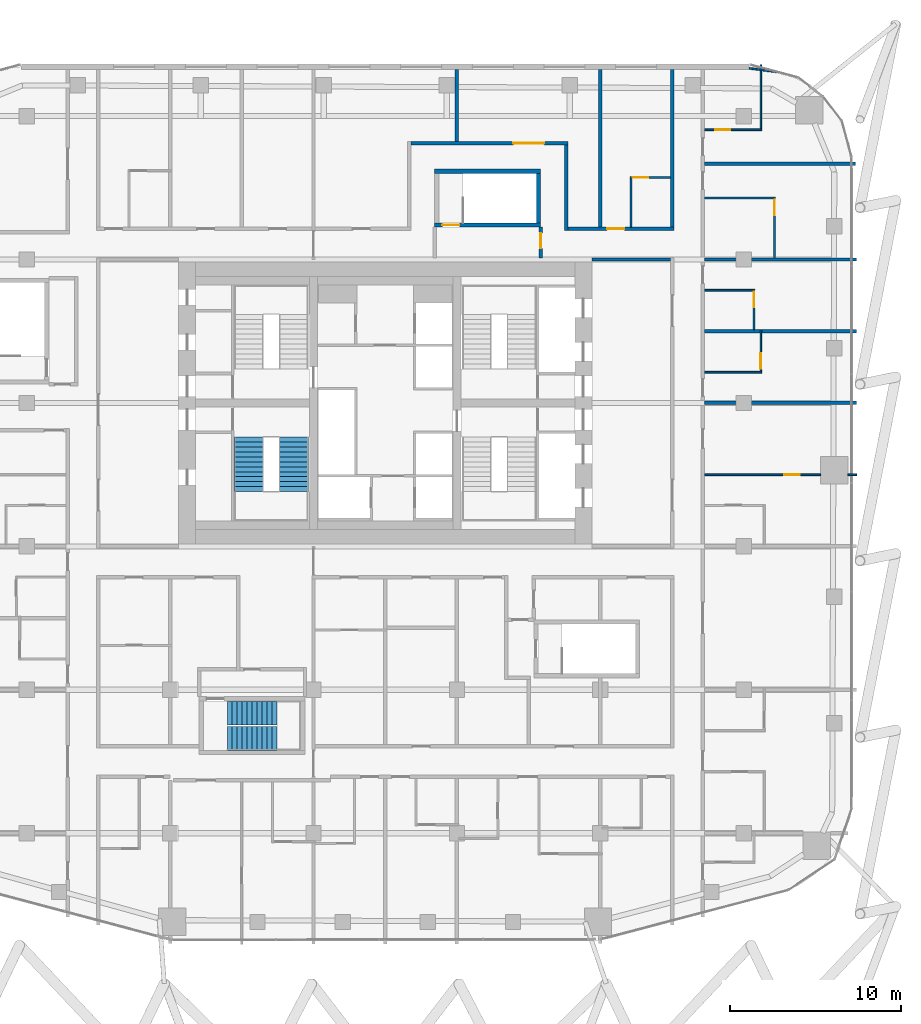
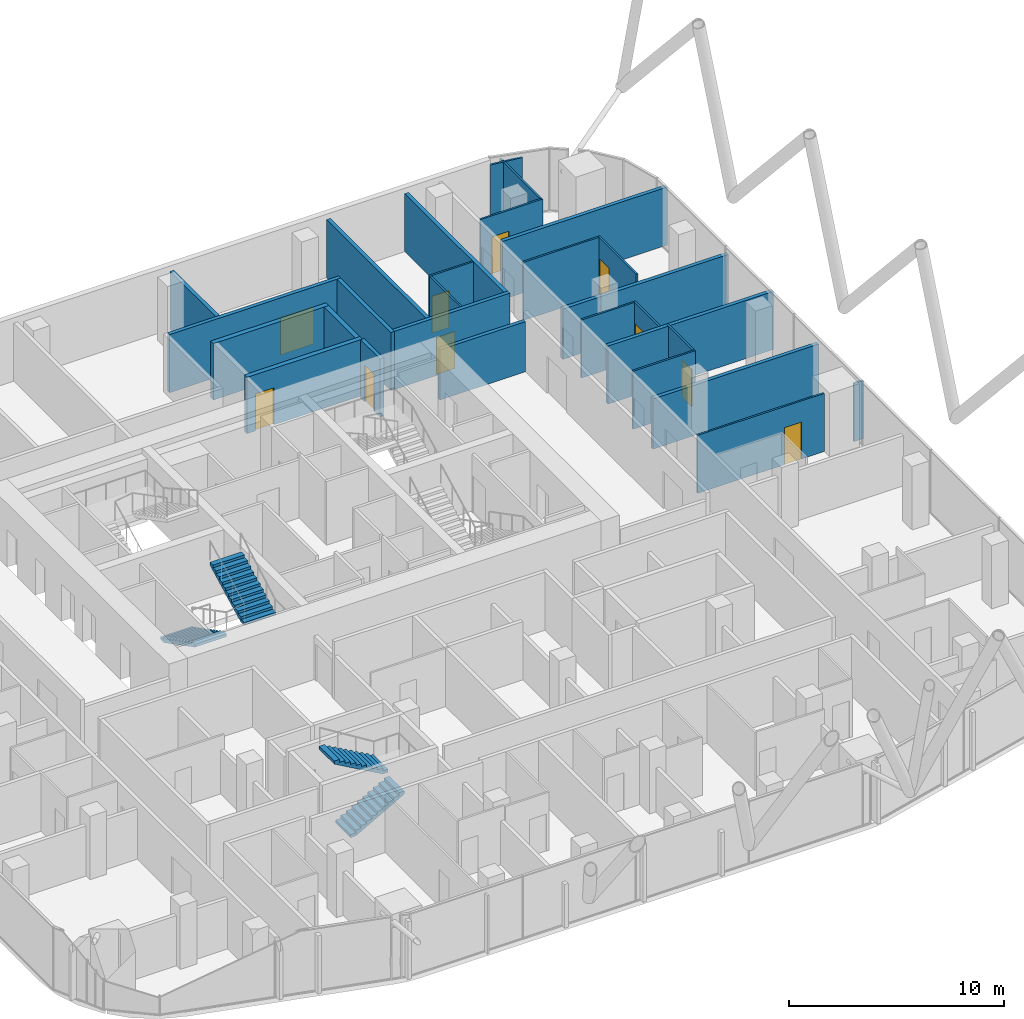
# One storey, part 32 of 34: 28 walls, 10 doors, 4 stair flights, 10 openings, 2 elements without a shape of their own.
"""IFC4 building model written with IfcOpenShell, lengths in metres."""

from ifc_helpers import new_model, si_unit, direction, frame, frame_2d, origin, place, context, subcontext, project, spatial, polyline, rectangle, outline, extrude, material, layer, layer_set, type_object, element, fill, aggregate, save


model = new_model("IFC4")

# Units and contexts
model_context = context("Model", 3, precision=1e-05, world=origin(), true_north=direction((0.0, 1.0)))
body_context = subcontext(model_context, "Body", "Model", "MODEL_VIEW")
ifc_project = project(units=[si_unit("LENGTHUNIT", "METRE"), si_unit("AREAUNIT", "SQUARE_METRE"), si_unit("VOLUMEUNIT", "CUBIC_METRE"), si_unit("PLANEANGLEUNIT", "RADIAN"), si_unit("MASSUNIT", "GRAM", prefix="KILO")], contexts=[model_context])

# Site, building, storey
site_placement = place(None, origin())
site = spatial("IfcSite", under=ifc_project, at=site_placement, CompositionType="ELEMENT")
building_placement = place(site_placement, origin())
building = spatial("IfcBuilding", under=site, at=building_placement, Name="Marenta Gate Hotel Tower", CompositionType="ELEMENT")
storey_placement = place(building_placement, frame((0.0, 0.0, 166.10009765625)))
storey = spatial("IfcBuildingStorey", under=building, at=storey_placement, Name="L39", CompositionType="ELEMENT", Elevation=166.10009765625)

# Wall
ifc_material_1 = material(Name="Concrete blockwork", Category="masonry")
ifc_layer_1 = layer(ifc_material_1, 0.199951171875)
ifc_layer_set_1 = layer_set([ifc_layer_1], Name="Concrete blockwork")
wall_type_1 = type_object("IfcWallType", Name="Core boundary wall 200 REI 180", PredefinedType="PARTITIONING", material=ifc_layer_set_1)
wall_1_placement = place(storey_placement, frame((12.10009765625, 16.800048828125, 0.0), z_axis=(0.0, 0.0, 1.0), x_axis=(1.0, 0.0, 0.0)))
element("IfcWall", 1, at=wall_1_placement, inside=storey, type_object=wall_type_1, Name="L39-CP-EW-EN", PredefinedType="PARTITIONING", context=body_context, shape_type="SweptSolid", body=[
    extrude(rectangle(XDim=4.599853515625, YDim=0.199951171875, at=frame_2d((2.2998046875, 0.0))), origin(), (0.0, 0.0, 1.0), 2.849853515625),
])

# Wall, opening, door
ifc_material_2 = material(Name="Concrete C40", Category="concrete")
ifc_layer_2 = layer(ifc_material_2, 0.25)
ifc_layer_set_2 = layer_set([ifc_layer_2], Name="Concrete C40")
wall_type_2 = type_object("IfcWallType", Name="Remote stair enclosure wall 250 REI 180", PredefinedType="SHEAR", material=ifc_layer_set_2)
wall_2_placement = place(storey_placement, frame((2.89990234375, 18.824951171875, 0.099853515625), z_axis=(0.0, 0.0, 1.0), x_axis=(1.0, 0.0, 0.0)))
wall_2 = element("IfcWall", 2, at=wall_2_placement, inside=storey, type_object=wall_type_2, Name="L39-RS-Z2-4-W1", PredefinedType="SHEAR", context=body_context, shape_type="SweptSolid", body=[
    extrude(rectangle(XDim=6.2001953125, YDim=0.25, at=frame_2d((3.10009765625, 0.0))), origin(), (0.0, 0.0, 1.0), 3.199951171875),
])
opening_1_placement = place(wall_2_placement, frame((0.449951171875, 0.0, 0.0)))
opening_1 = element("IfcOpeningElement", 3, at=opening_1_placement, cuts=wall_2, Name="Opening VD", PredefinedType="OPENING", context=body_context, shape_type="SweptSolid", body=[
    extrude(rectangle(XDim=1.0, YDim=2.10009765625, at=frame_2d((0.5, 1.050048828125))), frame((0.0, 0.125, 0.0), z_axis=(0.0, -1.0, 0.0), x_axis=(1.0, 0.0, 0.0)), (0.0, 0.0, 1.0), 0.25),
])
ifc_material_3 = material(Name="Steel", Category="steel")
door_type_1 = type_object("IfcDoorType", Name="Stair vestibule door 1000x2100 FD60", OperationType="SINGLE_SWING_LEFT", PredefinedType="DOOR", material=ifc_material_3)
door_1_placement = place(opening_1_placement, origin())
door_1 = element("IfcDoor", 4, at=door_1_placement, inside=storey, type_object=door_type_1, Name="VD", OperationType="SINGLE_SWING_LEFT", OverallHeight=2.10009765625, OverallWidth=1.0, PredefinedType="DOOR", context=body_context, shape_type="SweptSolid", body=[
    extrude(rectangle(XDim=1.0, YDim=2.10009765625, at=frame_2d((0.5, 1.050048828125))), frame((0.0, 0.02490234375, 0.0), z_axis=(0.0, -1.0, 0.0), x_axis=(1.0, 0.0, 0.0)), (0.0, 0.0, 1.0), 0.050048828125),
])
fill(opening_1, door_1)

# Walls
wall_3_placement = place(storey_placement, frame((2.89990234375, 21.97509765625, 0.099853515625), z_axis=(0.0, 0.0, 1.0), x_axis=(1.0, 0.0, 0.0)))
element("IfcWall", 5, at=wall_3_placement, inside=storey, type_object=wall_type_2, Name="L39-RS-Z2-4-W2", PredefinedType="SHEAR", context=body_context, shape_type="SweptSolid", body=[
    extrude(rectangle(XDim=6.2001953125, YDim=0.25, at=frame_2d((3.10009765625, 0.0))), origin(), (0.0, 0.0, 1.0), 3.199951171875),
])
wall_4_placement = place(storey_placement, frame((8.97509765625, 18.949951171875, 0.099853515625), z_axis=(0.0, 0.0, 1.0), x_axis=(0.0, 1.0, 0.0)))
element("IfcWall", 6, at=wall_4_placement, inside=storey, type_object=wall_type_2, Name="L39-RS-Z2-4-W4", PredefinedType="SHEAR", context=body_context, shape_type="SweptSolid", body=[
    extrude(rectangle(XDim=2.900146484375, YDim=0.25, at=frame_2d((1.4501953125, 0.0))), origin(), (0.0, 0.0, 1.0), 3.199951171875),
])
ifc_material_4 = material(Name="Gypsum board on steel stud", Category="steel")
ifc_layer_3 = layer(ifc_material_4, 0.199951171875)
ifc_layer_set_3 = layer_set([ifc_layer_3], Name="Gypsum board on steel stud")
wall_type_3 = type_object("IfcWallType", Name="Room corridor wall 200 EI 60", PredefinedType="PARTITIONING", material=ifc_layer_set_3)
wall_5_placement = place(storey_placement, frame((16.800048828125, 18.699951171875, 0.0), z_axis=(0.0, 0.0, 1.0), x_axis=(0.0, 1.0, 0.0)))
element("IfcWall", 7, at=wall_5_placement, inside=storey, type_object=wall_type_3, Name="L39-PTN-W018", PredefinedType="PARTITIONING", context=body_context, shape_type="SweptSolid", body=[
    extrude(rectangle(XDim=9.239990234375, YDim=0.199951171875, at=frame_2d((4.6201171875, 0.0))), origin(), (0.0, 0.0, 1.0), 3.2998046875),
])
wall_6_placement = place(storey_placement, frame((10.60009765625, 18.5, 0.0), z_axis=(0.0, 0.0, 1.0), x_axis=(0.0, 1.0, 0.0)))
element("IfcWall", 8, at=wall_6_placement, inside=storey, type_object=wall_type_3, Name="L39-PTN-W036", PredefinedType="PARTITIONING", context=body_context, shape_type="SweptSolid", body=[
    extrude(rectangle(XDim=5.0, YDim=0.199951171875, at=frame_2d((2.5, 0.0))), origin(), (0.0, 0.0, 1.0), 3.2998046875),
])

# Wall, opening, door
wall_7_placement = place(storey_placement, frame((10.699951171875, 18.60009765625, 0.0), z_axis=(0.0, 0.0, 1.0), x_axis=(1.0, 0.0, 0.0)))
wall_7 = element("IfcWall", 9, at=wall_7_placement, inside=storey, type_object=wall_type_3, Name="L39-PTN-W106", PredefinedType="PARTITIONING", context=body_context, shape_type="SweptSolid", body=[
    extrude(rectangle(XDim=6.199951171875, YDim=0.199951171875, at=frame_2d((3.10009765625, 0.0))), origin(), (0.0, 0.0, 1.0), 3.2998046875),
])
opening_2_placement = place(wall_7_placement, frame((2.300048828125, 0.0, 0.0)))
opening_2 = element("IfcOpeningElement", 10, at=opening_2_placement, cuts=wall_7, Name="Opening G14-28", PredefinedType="OPENING", context=body_context, shape_type="SweptSolid", body=[
    extrude(rectangle(XDim=1.0, YDim=2.10009765625, at=frame_2d((0.5, 1.050048828125))), frame((0.0, 0.10009765625, 0.0), z_axis=(0.0, -1.0, 0.0), x_axis=(1.0, 0.0, 0.0)), (0.0, 0.0, 1.0), 0.199951171875),
])
ifc_material_5 = material(Name="Timber door leaf", Category="wood")
door_type_2 = type_object("IfcDoorType", Name="Guest room door 1000x2100 EI 30", OperationType="NOTDEFINED", PredefinedType="DOOR", material=ifc_material_5)
door_2_placement = place(opening_2_placement, origin())
door_2 = element("IfcDoor", 11, at=door_2_placement, inside=storey, type_object=door_type_2, Name="L39-PD-D028", OperationType="SINGLE_SWING_LEFT", OverallHeight=2.10009765625, OverallWidth=1.0, PredefinedType="DOOR", context=body_context, shape_type="SweptSolid", body=[
    extrude(rectangle(XDim=1.0, YDim=2.10009765625, at=frame_2d((0.5, 1.050048828125))), frame((0.0, 0.02490234375, 0.0), z_axis=(0.0, -1.0, 0.0), x_axis=(1.0, 0.0, 0.0)), (0.0, 0.0, 1.0), 0.050048828125),
])
fill(opening_2, door_2)

wall_8_placement = place(storey_placement, frame((1.5, 23.60009765625, 0.0), z_axis=(0.0, 0.0, 1.0), x_axis=(1.0, 0.0, 0.0)))
wall_8 = element("IfcWall", 12, at=wall_8_placement, inside=storey, type_object=wall_type_3, Name="L39-PTN-W114", PredefinedType="PARTITIONING", context=body_context, shape_type="SweptSolid", body=[
    extrude(rectangle(XDim=9.199951171875, YDim=0.199951171875, at=frame_2d((4.60009765625, 0.0))), origin(), (0.0, 0.0, 1.0), 3.2998046875),
])
opening_3_placement = place(wall_8_placement, frame((6.0, 0.0, 0.0)))
opening_3 = element("IfcOpeningElement", 13, at=opening_3_placement, cuts=wall_8, Name="Opening G14-27", PredefinedType="OPENING", context=body_context, shape_type="SweptSolid", body=[
    extrude(rectangle(XDim=1.800048828125, YDim=2.10009765625, at=frame_2d((0.89990234375, 1.050048828125))), frame((0.0, 0.10009765625, 0.0), z_axis=(0.0, -1.0, 0.0), x_axis=(1.0, 0.0, 0.0)), (0.0, 0.0, 1.0), 0.199951171875),
])
ifc_material_6 = material(Name="Timber door leaf", Category="wood")
door_type_3 = type_object("IfcDoorType", Name="Room amenity door 1800x2100 EI 30", OperationType="DOUBLE_DOOR_SINGLE_SWING", PredefinedType="DOOR", material=ifc_material_6)
door_3_placement = place(opening_3_placement, origin())
door_3 = element("IfcDoor", 14, at=door_3_placement, inside=storey, type_object=door_type_3, Name="L39-PD-D027", OperationType="DOUBLE_DOOR_SINGLE_SWING", OverallHeight=2.10009765625, OverallWidth=1.800048828125, PredefinedType="DOOR", context=body_context, shape_type="SweptSolid", body=[
    extrude(rectangle(XDim=1.800048828125, YDim=2.10009765625, at=frame_2d((0.89990234375, 1.050048828125))), frame((0.0, 0.02490234375, 0.0), z_axis=(0.0, -1.0, 0.0), x_axis=(1.0, 0.0, 0.0)), (0.0, 0.0, 1.0), 0.050048828125),
])
fill(opening_3, door_3)

ifc_material_7 = material(Name="Concrete blockwork", Category="masonry")
ifc_layer_4 = layer(ifc_material_7, 0.199951171875)
ifc_layer_set_4 = layer_set([ifc_layer_4], Name="Concrete blockwork")
wall_type_4 = type_object("IfcWallType", Name="Room corridor wall 200 REI 180", PredefinedType="PARTITIONING", material=ifc_layer_set_4)
wall_9_placement = place(storey_placement, frame((9.10009765625, 16.89990234375, 0.0), z_axis=(0.0, 0.0, 1.0), x_axis=(0.0, 1.0, 0.0)))
wall_9 = element("IfcWall", 15, at=wall_9_placement, inside=storey, type_object=wall_type_4, Name="L39-PTN-W037", PredefinedType="PARTITIONING", context=body_context, shape_type="SweptSolid", body=[
    extrude(rectangle(XDim=1.800048828125, YDim=0.199951171875, at=frame_2d((0.89990234375, 0.0))), origin(), (0.0, 0.0, 1.0), 3.2998046875),
])
opening_4_placement = place(wall_9_placement, frame((0.550048828125, 0.0, 0.0)))
opening_4 = element("IfcOpeningElement", 16, at=opening_4_placement, cuts=wall_9, Name="Opening G14-58", PredefinedType="OPENING", context=body_context, shape_type="SweptSolid", body=[
    extrude(rectangle(XDim=0.89990234375, YDim=2.10009765625, at=frame_2d((0.449951171875, 1.050048828125))), frame((0.0, 0.10009765625, 0.0), z_axis=(0.0, -1.0, 0.0), x_axis=(1.0, 0.0, 0.0)), (0.0, 0.0, 1.0), 0.199951171875),
])
ifc_material_8 = material(Name="Hollow steel door set", Category="steel")
door_type_4 = type_object("IfcDoorType", Name="Stair vestibule door 900x2100 EI 60", OperationType="NOTDEFINED", PredefinedType="DOOR", material=ifc_material_8)
door_4_placement = place(opening_4_placement, origin())
door_4 = element("IfcDoor", 17, at=door_4_placement, inside=storey, type_object=door_type_4, Name="L39-PD-D058", OperationType="SINGLE_SWING_RIGHT", OverallHeight=2.10009765625, OverallWidth=0.89990234375, PredefinedType="DOOR", context=body_context, shape_type="SweptSolid", body=[
    extrude(rectangle(XDim=0.89990234375, YDim=2.10009765625, at=frame_2d((0.449951171875, 1.050048828125))), frame((0.0, 0.02490234375, 0.0), z_axis=(0.0, -1.0, 0.0), x_axis=(1.0, 0.0, 0.0)), (0.0, 0.0, 1.0), 0.050048828125),
])
fill(opening_4, door_4)

ifc_material_9 = material(Name="Gypsum board on steel stud", Category="steel")
ifc_layer_5 = layer(ifc_material_9, 0.10009765625)
ifc_layer_set_5 = layer_set([ifc_layer_5], Name="Gypsum board on steel stud")
wall_type_5 = type_object("IfcWallType", Name="Room partition 100", PredefinedType="PARTITIONING", material=ifc_layer_set_5)
wall_10_placement = place(storey_placement, frame((22.800048828125, 16.89990234375, 0.0), z_axis=(0.0, 0.0, 1.0), x_axis=(0.0, 1.0, 0.0)))
wall_10 = element("IfcWall", 18, at=wall_10_placement, inside=storey, type_object=wall_type_5, Name="L39-PTN-W001", PredefinedType="PARTITIONING", context=body_context, shape_type="SweptSolid", body=[
    extrude(rectangle(XDim=3.550048828125, YDim=0.10009765625, at=frame_2d((1.77490234375, 0.0))), origin(), (0.0, 0.0, 1.0), 3.2998046875),
])
opening_5_placement = place(wall_10_placement, frame((2.5, 0.0, 0.0)))
opening_5 = element("IfcOpeningElement", 19, at=opening_5_placement, cuts=wall_10, Name="Opening G14-22", PredefinedType="OPENING", context=body_context, shape_type="SweptSolid", body=[
    extrude(rectangle(XDim=0.89990234375, YDim=2.10009765625, at=frame_2d((0.449951171875, 1.050048828125))), frame((0.0, 0.050048828125, 0.0), z_axis=(0.0, -1.0, 0.0), x_axis=(1.0, 0.0, 0.0)), (0.0, 0.0, 1.0), 0.10009765625),
])
ifc_material_10 = material(Name="Timber door leaf", Category="wood")
door_type_5 = type_object("IfcDoorType", Name="Guest bathroom door 900x2100", OperationType="NOTDEFINED", PredefinedType="DOOR", material=ifc_material_10)
door_5_placement = place(opening_5_placement, origin())
door_5 = element("IfcDoor", 20, at=door_5_placement, inside=storey, type_object=door_type_5, Name="L39-PD-D022", OperationType="SINGLE_SWING_RIGHT", OverallHeight=2.10009765625, OverallWidth=0.89990234375, PredefinedType="DOOR", context=body_context, shape_type="SweptSolid", body=[
    extrude(rectangle(XDim=0.89990234375, YDim=2.10009765625, at=frame_2d((0.449951171875, 1.050048828125))), frame((0.0, 0.02490234375, 0.0), z_axis=(0.0, -1.0, 0.0), x_axis=(1.0, 0.0, 0.0)), (0.0, 0.0, 1.0), 0.050048828125),
])
fill(opening_5, door_5)

wall_11_placement = place(storey_placement, frame((22.0, 10.25, 0.0), z_axis=(0.0, 0.0, 1.0), x_axis=(0.0, 1.0, 0.0)))
wall_11 = element("IfcWall", 21, at=wall_11_placement, inside=storey, type_object=wall_type_5, Name="L39-PTN-W005", PredefinedType="PARTITIONING", context=body_context, shape_type="SweptSolid", body=[
    extrude(rectangle(XDim=2.449951171875, YDim=0.10009765625, at=frame_2d((1.22509765625, 0.0))), origin(), (0.0, 0.0, 1.0), 3.2998046875),
])
opening_6_placement = place(wall_11_placement, frame((0.14990234375, 0.0, 0.0)))
opening_6 = element("IfcOpeningElement", 22, at=opening_6_placement, cuts=wall_11, Name="Opening G14-18", PredefinedType="OPENING", context=body_context, shape_type="SweptSolid", body=[
    extrude(rectangle(XDim=0.89990234375, YDim=2.10009765625, at=frame_2d((0.449951171875, 1.050048828125))), frame((0.0, 0.050048828125, 0.0), z_axis=(0.0, -1.0, 0.0), x_axis=(1.0, 0.0, 0.0)), (0.0, 0.0, 1.0), 0.10009765625),
])
door_6_placement = place(opening_6_placement, origin())
door_6 = element("IfcDoor", 23, at=door_6_placement, inside=storey, type_object=door_type_5, Name="L39-PD-D018", OperationType="SINGLE_SWING_LEFT", OverallHeight=2.10009765625, OverallWidth=0.89990234375, PredefinedType="DOOR", context=body_context, shape_type="SweptSolid", body=[
    extrude(rectangle(XDim=0.89990234375, YDim=2.10009765625, at=frame_2d((0.449951171875, 1.050048828125))), frame((0.0, 0.02490234375, 0.0), z_axis=(0.0, -1.0, 0.0), x_axis=(1.0, 0.0, 0.0)), (0.0, 0.0, 1.0), 0.050048828125),
])
fill(opening_6, door_6)

# Wall
wall_12_placement = place(storey_placement, frame((22.0, 24.449951171875, 0.0), z_axis=(0.0, 0.0, 1.0), x_axis=(0.0, 1.0, 0.0)))
element("IfcWall", 24, at=wall_12_placement, inside=storey, type_object=wall_type_5, Name="L39-PTN-W006", PredefinedType="PARTITIONING", context=body_context, shape_type="SweptSolid", body=[
    extrude(rectangle(XDim=3.758056640625, YDim=0.10009765625, at=frame_2d((1.87890625, 0.0))), origin(), (0.0, 0.0, 1.0), 3.2998046875),
])

# Wall, opening, door
wall_13_placement = place(storey_placement, frame((21.60009765625, 12.699951171875, 0.0), z_axis=(0.0, 0.0, 1.0), x_axis=(0.0, 1.0, 0.0)))
wall_13 = element("IfcWall", 25, at=wall_13_placement, inside=storey, type_object=wall_type_5, Name="L39-PTN-W008", PredefinedType="PARTITIONING", context=body_context, shape_type="SweptSolid", body=[
    extrude(rectangle(XDim=2.35009765625, YDim=0.10009765625, at=frame_2d((1.175048828125, 0.0))), origin(), (0.0, 0.0, 1.0), 3.2998046875),
])
opening_7_placement = place(wall_13_placement, frame((1.300048828125, 0.0, 0.0)))
opening_7 = element("IfcOpeningElement", 26, at=opening_7_placement, cuts=wall_13, Name="Opening G14-20", PredefinedType="OPENING", context=body_context, shape_type="SweptSolid", body=[
    extrude(rectangle(XDim=0.89990234375, YDim=2.10009765625, at=frame_2d((0.449951171875, 1.050048828125))), frame((0.0, 0.050048828125, 0.0), z_axis=(0.0, -1.0, 0.0), x_axis=(1.0, 0.0, 0.0)), (0.0, 0.0, 1.0), 0.10009765625),
])
door_7_placement = place(opening_7_placement, origin())
door_7 = element("IfcDoor", 27, at=door_7_placement, inside=storey, type_object=door_type_5, Name="L39-PD-D020", OperationType="SINGLE_SWING_RIGHT", OverallHeight=2.10009765625, OverallWidth=0.89990234375, PredefinedType="DOOR", context=body_context, shape_type="SweptSolid", body=[
    extrude(rectangle(XDim=0.89990234375, YDim=2.10009765625, at=frame_2d((0.449951171875, 1.050048828125))), frame((0.0, 0.02490234375, 0.0), z_axis=(0.0, -1.0, 0.0), x_axis=(1.0, 0.0, 0.0)), (0.0, 0.0, 1.0), 0.050048828125),
])
fill(opening_7, door_7)

# Wall
wall_14_placement = place(storey_placement, frame((14.39990234375, 18.699951171875, 0.0), z_axis=(0.0, 0.0, 1.0), x_axis=(0.0, 1.0, 0.0)))
element("IfcWall", 28, at=wall_14_placement, inside=storey, type_object=wall_type_5, Name="L39-PTN-W024", PredefinedType="PARTITIONING", context=body_context, shape_type="SweptSolid", body=[
    extrude(rectangle(XDim=2.85009765625, YDim=0.10009765625, at=frame_2d((1.425048828125, 0.0))), origin(), (0.0, 0.0, 1.0), 3.2998046875),
])

# Wall, opening, door
wall_15_placement = place(storey_placement, frame((18.699951171875, 4.199951171875, 0.0), z_axis=(0.0, 0.0, 1.0), x_axis=(1.0, 0.0, 0.0)))
wall_15 = element("IfcWall", 29, at=wall_15_placement, inside=storey, type_object=wall_type_5, Name="L39-PTN-W076", PredefinedType="PARTITIONING", context=body_context, shape_type="SweptSolid", body=[
    extrude(rectangle(XDim=6.800048828125, YDim=0.10009765625, at=frame_2d((3.39990234375, 0.0))), origin(), (0.0, 0.0, 1.0), 3.2998046875),
])
opening_8_placement = place(wall_15_placement, frame((4.669921875, 0.0, 0.0)))
opening_8 = element("IfcOpeningElement", 30, at=opening_8_placement, cuts=wall_15, Name="Opening G14-15", PredefinedType="OPENING", context=body_context, shape_type="SweptSolid", body=[
    extrude(rectangle(XDim=0.89990234375, YDim=2.10009765625, at=frame_2d((0.449951171875, 1.050048828125))), frame((0.0, 0.050048828125, 0.0), z_axis=(0.0, -1.0, 0.0), x_axis=(1.0, 0.0, 0.0)), (0.0, 0.0, 1.0), 0.10009765625),
])
ifc_material_11 = material(Name="Timber door leaf", Category="wood")
door_type_6 = type_object("IfcDoorType", Name="Room inner door 900x2100", OperationType="NOTDEFINED", PredefinedType="DOOR", material=ifc_material_11)
door_8_placement = place(opening_8_placement, origin())
door_8 = element("IfcDoor", 31, at=door_8_placement, inside=storey, type_object=door_type_6, Name="L39-PD-D015", OperationType="SINGLE_SWING_LEFT", OverallHeight=2.10009765625, OverallWidth=0.89990234375, PredefinedType="DOOR", context=body_context, shape_type="SweptSolid", body=[
    extrude(rectangle(XDim=0.89990234375, YDim=2.10009765625, at=frame_2d((0.449951171875, 1.050048828125))), frame((0.0, 0.02490234375, 0.0), z_axis=(0.0, -1.0, 0.0), x_axis=(1.0, 0.0, 0.0)), (0.0, 0.0, 1.0), 0.050048828125),
])
fill(opening_8, door_8)

# Walls
wall_16_placement = place(storey_placement, frame((27.10009765625, 4.199951171875, 0.0), z_axis=(0.0, 0.0, 1.0), x_axis=(1.0, 0.0, 0.0)))
element("IfcWall", 32, at=wall_16_placement, inside=storey, type_object=wall_type_5, Name="L39-PTN-W122", PredefinedType="PARTITIONING", context=body_context, shape_type="SweptSolid", body=[
    extrude(rectangle(XDim=0.5, YDim=0.10009765625, at=frame_2d((0.25, 0.0))), origin(), (0.0, 0.0, 1.0), 3.2998046875),
])
wall_17_placement = place(storey_placement, frame((18.699951171875, 10.199951171875, 0.0), z_axis=(0.0, 0.0, 1.0), x_axis=(1.0, 0.0, 0.0)))
element("IfcWall", 33, at=wall_17_placement, inside=storey, type_object=wall_type_5, Name="L39-PTN-W086", PredefinedType="PARTITIONING", context=body_context, shape_type="SweptSolid", body=[
    extrude(rectangle(XDim=3.35009765625, YDim=0.10009765625, at=frame_2d((1.675048828125, 0.0))), origin(), (0.0, 0.0, 1.0), 3.2998046875),
])
wall_18_placement = place(storey_placement, frame((18.699951171875, 15.0, 0.0), z_axis=(0.0, 0.0, 1.0), x_axis=(1.0, 0.0, 0.0)))
element("IfcWall", 34, at=wall_18_placement, inside=storey, type_object=wall_type_5, Name="L39-PTN-W094", PredefinedType="PARTITIONING", context=body_context, shape_type="SweptSolid", body=[
    extrude(rectangle(XDim=2.85009765625, YDim=0.10009765625, at=frame_2d((1.425048828125, 0.0))), origin(), (0.0, 0.0, 1.0), 3.2998046875),
])
wall_19_placement = place(storey_placement, frame((18.699951171875, 20.39990234375, 0.0), z_axis=(0.0, 0.0, 1.0), x_axis=(1.0, 0.0, 0.0)))
element("IfcWall", 35, at=wall_19_placement, inside=storey, type_object=wall_type_5, Name="L39-PTN-W107", PredefinedType="PARTITIONING", context=body_context, shape_type="SweptSolid", body=[
    extrude(rectangle(XDim=4.050048828125, YDim=0.10009765625, at=frame_2d((2.02490234375, 0.0))), origin(), (0.0, 0.0, 1.0), 3.2998046875),
])

# Wall, opening, door
wall_20_placement = place(storey_placement, frame((14.35009765625, 21.60009765625, 0.0), z_axis=(0.0, 0.0, 1.0), x_axis=(1.0, 0.0, 0.0)))
wall_20 = element("IfcWall", 36, at=wall_20_placement, inside=storey, type_object=wall_type_5, Name="L39-PTN-W110", PredefinedType="PARTITIONING", context=body_context, shape_type="SweptSolid", body=[
    extrude(rectangle(XDim=2.349853515625, YDim=0.10009765625, at=frame_2d((1.1748046875, 0.0))), origin(), (0.0, 0.0, 1.0), 3.2998046875),
])
opening_9_placement = place(wall_20_placement, frame((0.14990234375, 0.0, 0.0)))
opening_9 = element("IfcOpeningElement", 37, at=opening_9_placement, cuts=wall_20, Name="Opening G14-29", PredefinedType="OPENING", context=body_context, shape_type="SweptSolid", body=[
    extrude(rectangle(XDim=0.89990234375, YDim=2.10009765625, at=frame_2d((0.449951171875, 1.050048828125))), frame((0.0, 0.050048828125, 0.0), z_axis=(0.0, -1.0, 0.0), x_axis=(1.0, 0.0, 0.0)), (0.0, 0.0, 1.0), 0.10009765625),
])
door_9_placement = place(opening_9_placement, origin())
door_9 = element("IfcDoor", 38, at=door_9_placement, inside=storey, type_object=door_type_5, Name="L39-PD-D029", OperationType="SINGLE_SWING_RIGHT", OverallHeight=2.10009765625, OverallWidth=0.89990234375, PredefinedType="DOOR", context=body_context, shape_type="SweptSolid", body=[
    extrude(rectangle(XDim=0.89990234375, YDim=2.10009765625, at=frame_2d((0.449951171875, 1.050048828125))), frame((0.0, 0.02490234375, 0.0), z_axis=(0.0, -1.0, 0.0), x_axis=(1.0, 0.0, 0.0)), (0.0, 0.0, 1.0), 0.050048828125),
])
fill(opening_9, door_9)

wall_21_placement = place(storey_placement, frame((18.699951171875, 24.39990234375, 0.0), z_axis=(0.0, 0.0, 1.0), x_axis=(1.0, 0.0, 0.0)))
wall_21 = element("IfcWall", 39, at=wall_21_placement, inside=storey, type_object=wall_type_5, Name="L39-PTN-W115", PredefinedType="PARTITIONING", context=body_context, shape_type="SweptSolid", body=[
    extrude(rectangle(XDim=3.35009765625, YDim=0.10009765625, at=frame_2d((1.675048828125, 0.0))), origin(), (0.0, 0.0, 1.0), 3.2998046875),
])
opening_10_placement = place(wall_21_placement, frame((0.6201171875, 0.0, 0.0)))
opening_10 = element("IfcOpeningElement", 40, at=opening_10_placement, cuts=wall_21, Name="Opening G14-24", PredefinedType="OPENING", context=body_context, shape_type="SweptSolid", body=[
    extrude(rectangle(XDim=0.89990234375, YDim=2.10009765625, at=frame_2d((0.449951171875, 1.050048828125))), frame((0.0, 0.050048828125, 0.0), z_axis=(0.0, -1.0, 0.0), x_axis=(1.0, 0.0, 0.0)), (0.0, 0.0, 1.0), 0.10009765625),
])
door_10_placement = place(opening_10_placement, origin())
door_10 = element("IfcDoor", 41, at=door_10_placement, inside=storey, type_object=door_type_5, Name="L39-PD-D024", OperationType="SINGLE_SWING_RIGHT", OverallHeight=2.10009765625, OverallWidth=0.89990234375, PredefinedType="DOOR", context=body_context, shape_type="SweptSolid", body=[
    extrude(rectangle(XDim=0.89990234375, YDim=2.10009765625, at=frame_2d((0.449951171875, 1.050048828125))), frame((0.0, 0.02490234375, 0.0), z_axis=(0.0, -1.0, 0.0), x_axis=(1.0, 0.0, 0.0)), (0.0, 0.0, 1.0), 0.050048828125),
])
fill(opening_10, door_10)

# Walls
wall_22_placement = place(storey_placement, frame((21.31201171875, 27.998046875, 0.0), z_axis=(0.0, 0.0, 1.0), x_axis=(0.991547575144, -0.129743617284, 0.0)))
element("IfcWall", 42, at=wall_22_placement, inside=storey, type_object=wall_type_5, Name="L39-PTN-W117", PredefinedType="PARTITIONING", context=body_context, shape_type="SweptSolid", body=[
    extrude(rectangle(XDim=1.625732421875, YDim=0.10009765625, at=frame_2d((0.81298828125, 0.0))), origin(), (0.0, 0.0, 1.0), 3.2998046875),
])
ifc_material_12 = material(Name="Gypsum board on steel stud", Category="steel")
ifc_layer_6 = layer(ifc_material_12, 0.199951171875)
ifc_layer_set_6 = layer_set([ifc_layer_6], Name="Gypsum board on steel stud")
wall_type_6 = type_object("IfcWallType", Name="Room party wall 200 EI 60", PredefinedType="PARTITIONING", material=ifc_layer_set_6)
wall_23_placement = place(storey_placement, frame((12.60009765625, 18.699951171875, 0.0), z_axis=(0.0, 0.0, 1.0), x_axis=(0.0, 1.0, 0.0)))
element("IfcWall", 43, at=wall_23_placement, inside=storey, type_object=wall_type_6, Name="L39-PTN-W032", PredefinedType="PARTITIONING", context=body_context, shape_type="SweptSolid", body=[
    extrude(rectangle(XDim=9.239990234375, YDim=0.199951171875, at=frame_2d((4.6201171875, 0.0))), origin(), (0.0, 0.0, 1.0), 3.2998046875),
])
wall_24_placement = place(storey_placement, frame((4.199951171875, 23.699951171875, 0.0), z_axis=(0.0, 0.0, 1.0), x_axis=(0.0, 1.0, 0.0)))
element("IfcWall", 44, at=wall_24_placement, inside=storey, type_object=wall_type_6, Name="L39-PTN-W056", PredefinedType="PARTITIONING", context=body_context, shape_type="SweptSolid", body=[
    extrude(rectangle(XDim=4.239990234375, YDim=0.199951171875, at=frame_2d((2.1201171875, 0.0))), origin(), (0.0, 0.0, 1.0), 3.2998046875),
])
wall_25_placement = place(storey_placement, frame((18.699951171875, 8.39990234375, 0.0), z_axis=(0.0, 0.0, 1.0), x_axis=(1.0, 0.0, 0.0)))
element("IfcWall", 45, at=wall_25_placement, inside=storey, type_object=wall_type_6, Name="L39-PTN-W083", PredefinedType="PARTITIONING", context=body_context, shape_type="SweptSolid", body=[
    extrude(rectangle(XDim=8.900146484375, YDim=0.199951171875, at=frame_2d((4.4501953125, 0.0))), origin(), (0.0, 0.0, 1.0), 2.849853515625),
])
wall_26_placement = place(storey_placement, frame((18.699951171875, 12.60009765625, 0.0), z_axis=(0.0, 0.0, 1.0), x_axis=(1.0, 0.0, 0.0)))
element("IfcWall", 46, at=wall_26_placement, inside=storey, type_object=wall_type_6, Name="L39-PTN-W091", PredefinedType="PARTITIONING", context=body_context, shape_type="SweptSolid", body=[
    extrude(rectangle(XDim=8.900146484375, YDim=0.199951171875, at=frame_2d((4.4501953125, 0.0))), origin(), (0.0, 0.0, 1.0), 3.2998046875),
])
wall_27_placement = place(storey_placement, frame((18.699951171875, 16.800048828125, 0.0), z_axis=(0.0, 0.0, 1.0), x_axis=(1.0, 0.0, 0.0)))
element("IfcWall", 47, at=wall_27_placement, inside=storey, type_object=wall_type_6, Name="L39-PTN-W100", PredefinedType="PARTITIONING", context=body_context, shape_type="SweptSolid", body=[
    extrude(rectangle(XDim=8.900146484375, YDim=0.199951171875, at=frame_2d((4.4501953125, 0.0))), origin(), (0.0, 0.0, 1.0), 2.849853515625),
])
wall_28_placement = place(storey_placement, frame((18.699951171875, 22.39990234375, 0.0), z_axis=(0.0, 0.0, 1.0), x_axis=(1.0, 0.0, 0.0)))
element("IfcWall", 48, at=wall_28_placement, inside=storey, type_object=wall_type_6, Name="L39-PTN-W113", PredefinedType="PARTITIONING", context=body_context, shape_type="SweptSolid", body=[
    extrude(rectangle(XDim=8.84716796875, YDim=0.199951171875, at=frame_2d((4.423583984375, 0.0))), origin(), (0.0, 0.0, 1.0), 3.2998046875),
])

# Stair, stair flights
ifc_material_13 = material(Name="Concrete C40", Category="concrete")
stair_type_1 = type_object("IfcStairType", Name="Core exit stair 1700 wide", PredefinedType="HALF_TURN_STAIR", material=ifc_material_13)
stair_1_placement = place(storey_placement, origin())
stair_1 = element("IfcStair", 49, at=stair_1_placement, inside=storey, type_object=stair_type_1, Name="Exit stair 1", PredefinedType="HALF_TURN_STAIR")
ifc_material_14 = material(Name="Concrete C40", Category="concrete")
stair_flight_type_1 = type_object("IfcStairFlightType", Name="Core stair flight 1700 riser 150.0 going 290", PredefinedType="STRAIGHT", material=ifc_material_14)
stair_flight_1_placement = place(storey_placement, frame((-8.0, 6.39990234375, 0.0), z_axis=(0.0, 0.0, 1.0), x_axis=(0.0, -1.0, 0.0)))
stair_flight_1 = element("IfcStairFlight", 50, at=stair_flight_1_placement, type_object=stair_flight_type_1, Name="ST1 flight 1", NumberOfRisers=12, NumberOfTreads=11, PredefinedType="STRAIGHT", RiserHeight=0.15, TreadLength=0.29, context=body_context, shape_type="SweptSolid", body=[
    extrude(outline(polyline([(0.0, 0.0), (0.0, 0.14990234375), (0.2900390625, 0.14990234375), (0.2900390625, 0.300048828125), (0.580078125, 0.300048828125), (0.580078125, 0.449951171875), (0.8701171875, 0.449951171875), (0.8701171875, 0.60009765625), (1.159912109375, 0.60009765625), (1.159912109375, 0.75), (1.449951171875, 0.75), (1.449951171875, 0.89990234375), (1.739990234375, 0.89990234375), (1.739990234375, 1.050048828125), (2.030029296875, 1.050048828125), (2.030029296875, 1.199951171875), (2.320068359375, 1.199951171875), (2.320068359375, 1.35009765625), (2.610107421875, 1.35009765625), (2.610107421875, 1.5), (2.89990234375, 1.5), (2.89990234375, 1.64990234375), (3.18994140625, 1.64990234375), (3.18994140625, 1.800048828125), (3.18994140625, 1.481201171875), (0.326171875, 0.0), (0.0, 0.0)])), frame((0.0, 0.85009765625, 0.0), z_axis=(0.0, -1.0, 0.0), x_axis=(1.0, 0.0, 0.0)), (0.0, 0.0, 1.0), 1.699951171875),
])
stair_flight_2_placement = place(storey_placement, frame((-5.35009765625, 3.2099609375, 1.7998046875), z_axis=(0.0, 0.0, 1.0), x_axis=(0.0, 1.0, 0.0)))
stair_flight_2 = element("IfcStairFlight", 51, at=stair_flight_2_placement, type_object=stair_flight_type_1, Name="ST1 flight 2", NumberOfRisers=12, NumberOfTreads=11, PredefinedType="STRAIGHT", RiserHeight=0.15, TreadLength=0.29, context=body_context, shape_type="SweptSolid", body=[
    extrude(outline(polyline([(0.0, 0.0), (0.0, 0.14990234375), (0.2900390625, 0.14990234375), (0.2900390625, 0.300048828125), (0.580078125, 0.300048828125), (0.580078125, 0.449951171875), (0.8701171875, 0.449951171875), (0.8701171875, 0.60009765625), (1.159912109375, 0.60009765625), (1.159912109375, 0.75), (1.449951171875, 0.75), (1.449951171875, 0.89990234375), (1.739990234375, 0.89990234375), (1.739990234375, 1.050048828125), (2.030029296875, 1.050048828125), (2.030029296875, 1.199951171875), (2.320068359375, 1.199951171875), (2.320068359375, 1.35009765625), (2.610107421875, 1.35009765625), (2.610107421875, 1.5), (2.89990234375, 1.5), (2.89990234375, 1.64990234375), (3.18994140625, 1.64990234375), (3.18994140625, 1.800048828125), (3.18994140625, 1.481201171875), (0.326171875, 0.0), (0.0, 0.0)])), frame((0.0, 0.85009765625, 0.0), z_axis=(0.0, -1.0, 0.0), x_axis=(1.0, 0.0, 0.0)), (0.0, 0.0, 1.0), 1.699951171875),
])
aggregate(stair_1, [stair_flight_1, stair_flight_2])

ifc_material_15 = material(Name="Concrete C40", Category="concrete")
stair_type_2 = type_object("IfcStairType", Name="Remote exit stair 1400 wide", PredefinedType="HALF_TURN_STAIR", material=ifc_material_15)
stair_2_placement = place(storey_placement, origin())
stair_2 = element("IfcStair", 52, at=stair_2_placement, inside=storey, type_object=stair_type_2, Name="Exit stair RS-Z2-1", PredefinedType="HALF_TURN_STAIR")
ifc_material_16 = material(Name="Concrete C40", Category="concrete")
stair_flight_type_2 = type_object("IfcStairFlightType", Name="Remote stair flight 1400 riser 163.6 going 290", PredefinedType="STRAIGHT", material=ifc_material_16)
stair_flight_3_placement = place(storey_placement, frame((-9.25, -11.25, 0.0), z_axis=(0.0, 0.0, 1.0), x_axis=(1.0, 0.0, 0.0)))
stair_flight_3 = element("IfcStairFlight", 53, at=stair_flight_3_placement, type_object=stair_flight_type_2, Name="RS-Z2-1 flight 1", NumberOfRisers=11, NumberOfTreads=10, PredefinedType="STRAIGHT", RiserHeight=0.163636, TreadLength=0.29, context=body_context, shape_type="SweptSolid", body=[
    extrude(outline(polyline([(0.0, 0.0), (0.0, 0.16357421875), (0.2900390625, 0.16357421875), (0.2900390625, 0.327392578125), (0.580078125, 0.327392578125), (0.580078125, 0.490966796875), (0.8701171875, 0.490966796875), (0.8701171875, 0.654541015625), (1.159912109375, 0.654541015625), (1.159912109375, 0.818115234375), (1.449951171875, 0.818115234375), (1.449951171875, 0.98193359375), (1.739990234375, 0.98193359375), (1.739990234375, 1.1455078125), (2.030029296875, 1.1455078125), (2.030029296875, 1.30908203125), (2.320068359375, 1.30908203125), (2.320068359375, 1.47265625), (2.610107421875, 1.47265625), (2.610107421875, 1.636474609375), (2.89990234375, 1.636474609375), (2.89990234375, 1.800048828125), (2.89990234375, 1.46435546875), (0.304931640625, 0.0), (0.0, 0.0)])), frame((0.0, 0.699951171875, 0.0), z_axis=(0.0, -1.0, 0.0), x_axis=(1.0, 0.0, 0.0)), (0.0, 0.0, 1.0), 1.39990234375),
])
stair_flight_4_placement = place(storey_placement, frame((-6.35009765625, -9.75, 1.7998046875), z_axis=(0.0, 0.0, 1.0), x_axis=(-1.0, 0.0, 0.0)))
stair_flight_4 = element("IfcStairFlight", 54, at=stair_flight_4_placement, type_object=stair_flight_type_2, Name="RS-Z2-1 flight 2", NumberOfRisers=11, NumberOfTreads=10, PredefinedType="STRAIGHT", RiserHeight=0.163636, TreadLength=0.29, context=body_context, shape_type="SweptSolid", body=[
    extrude(outline(polyline([(0.0, 0.0), (0.0, 0.16357421875), (0.2900390625, 0.16357421875), (0.2900390625, 0.327392578125), (0.580078125, 0.327392578125), (0.580078125, 0.490966796875), (0.8701171875, 0.490966796875), (0.8701171875, 0.654541015625), (1.159912109375, 0.654541015625), (1.159912109375, 0.818115234375), (1.449951171875, 0.818115234375), (1.449951171875, 0.98193359375), (1.739990234375, 0.98193359375), (1.739990234375, 1.1455078125), (2.030029296875, 1.1455078125), (2.030029296875, 1.30908203125), (2.320068359375, 1.30908203125), (2.320068359375, 1.47265625), (2.610107421875, 1.47265625), (2.610107421875, 1.636474609375), (2.89990234375, 1.636474609375), (2.89990234375, 1.800048828125), (2.89990234375, 1.46435546875), (0.304931640625, 0.0), (0.0, 0.0)])), frame((0.0, 0.699951171875, 0.0), z_axis=(0.0, -1.0, 0.0), x_axis=(1.0, 0.0, 0.0)), (0.0, 0.0, 1.0), 1.39990234375),
])
aggregate(stair_2, [stair_flight_3, stair_flight_4])

save(model, "model.ifc")
